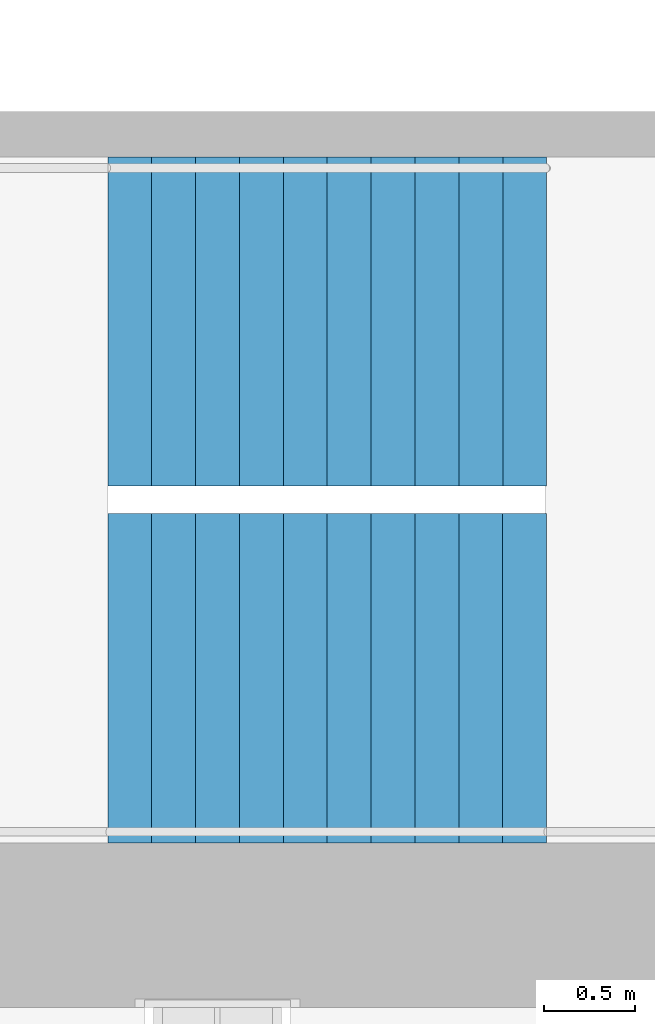
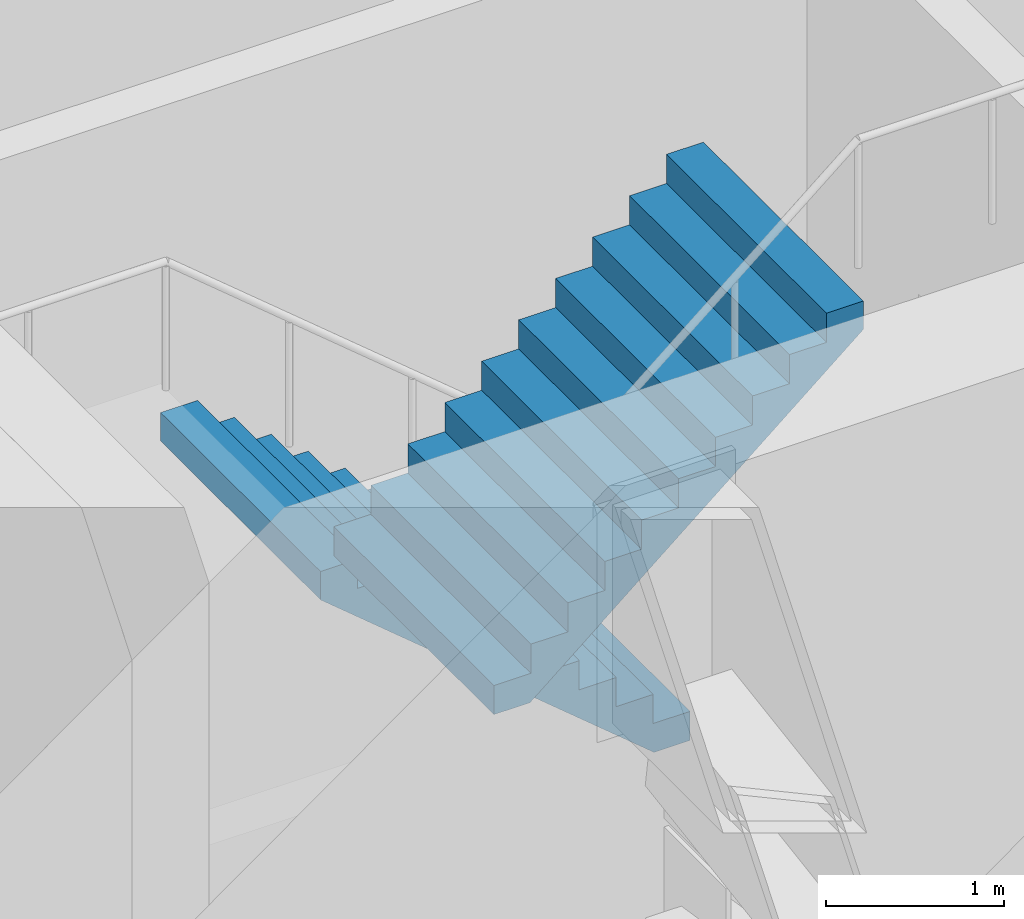
# One storey, part 25 of 30: 2 stair flights, 1 element without a shape of its own.
"""IFC4 building model written with IfcOpenShell, lengths in metres."""

from ifc_helpers import new_model, si_unit, direction, frame, origin, place, context, subcontext, project, spatial, triangles, material, type_object, element, aggregate, save


model = new_model("IFC4")

# Units and contexts
model_context = context("Model", 3, precision=1e-05, world=origin(), true_north=direction((0.0, 1.0)))
body_context = subcontext(model_context, "Body", "Model", "MODEL_VIEW")
ifc_project = project(units=[si_unit("LENGTHUNIT", "METRE"), si_unit("AREAUNIT", "SQUARE_METRE"), si_unit("VOLUMEUNIT", "CUBIC_METRE"), si_unit("PLANEANGLEUNIT", "RADIAN"), si_unit("MASSUNIT", "GRAM", prefix="KILO")], contexts=[model_context])

# Site, building, storey
site_placement = place(None, origin())
site = spatial("IfcSite", under=ifc_project, at=site_placement, CompositionType="ELEMENT")
building_placement = place(site_placement, origin())
building = spatial("IfcBuilding", under=site, at=building_placement, Name="Hakoniwa Tower and Hamabe Station Hall", CompositionType="ELEMENT")
storey_placement = place(building_placement, frame((0.0, 0.0, 64.60009765625)))
storey = spatial("IfcBuildingStorey", under=building, at=storey_placement, Name="L18", CompositionType="ELEMENT", Elevation=64.60009765625)

# Stair, stair flights
ifc_material_1 = material(Name="Concrete C40", Category="concrete")
stair_type = type_object("IfcStairType", Name="ESCAPE STAIR 1800", PredefinedType="HALF_TURN_STAIR", material=ifc_material_1)
stair_placement = place(storey_placement, origin())
stair = element("IfcStair", 1, at=stair_placement, inside=storey, type_object=stair_type, Name="Escape stair ST-2 L18", PredefinedType="HALF_TURN_STAIR")
ifc_material_2 = material(Name="Concrete C40", Category="concrete")
stair_flight_type = type_object("IfcStairFlightType", Name="STAIR FLIGHT 1800", PredefinedType="STRAIGHT", material=ifc_material_2)
stair_flight_1_placement = place(storey_placement, frame((-23.39990234375, -4.64990234375, 0.0), z_axis=(0.0, 0.0, 1.0), x_axis=(-1.0, 0.0, 0.0)))
stair_flight_1 = element("IfcStairFlight", 2, at=stair_flight_1_placement, type_object=stair_flight_type, Name="ST-2 flight 1", NumberOfRisers=11, NumberOfTreads=10, PredefinedType="STRAIGHT", RiserHeight=0.2, TreadLength=0.24, context=body_context, shape_type="Tessellation", body=[
    triangles([(0.0, 0.89990234375, 0.0), (0.234130859375, 0.89990234375, 0.0), (0.239990234375, 0.89990234375, 0.0048828125), (0.47998046875, 0.89990234375, 0.204833984375), (0.719970703125, 0.89990234375, 0.40478515625), (0.9599609375, 0.89990234375, 0.60498046875), (1.199951171875, 0.89990234375, 0.804931640625), (1.43994140625, 0.89990234375, 1.0048828125), (1.679931640625, 0.89990234375, 1.204833984375), (1.919921875, 0.89990234375, 1.40478515625), (2.159912109375, 0.89990234375, 1.60498046875), (2.39990234375, 0.89990234375, 1.804931640625), (2.39990234375, 0.89990234375, 2.0), (2.159912109375, 0.89990234375, 2.0), (2.159912109375, 0.89990234375, 1.800048828125), (1.919921875, 0.89990234375, 1.800048828125), (1.919921875, 0.89990234375, 1.60009765625), (1.679931640625, 0.89990234375, 1.60009765625), (1.679931640625, 0.89990234375, 1.39990234375), (1.43994140625, 0.89990234375, 1.39990234375), (1.43994140625, 0.89990234375, 1.199951171875), (1.199951171875, 0.89990234375, 1.199951171875), (1.199951171875, 0.89990234375, 1.0), (0.9599609375, 0.89990234375, 1.0), (0.9599609375, 0.89990234375, 0.800048828125), (0.719970703125, 0.89990234375, 0.800048828125), (0.719970703125, 0.89990234375, 0.60009765625), (0.47998046875, 0.89990234375, 0.60009765625), (0.47998046875, 0.89990234375, 0.39990234375), (0.239990234375, 0.89990234375, 0.39990234375), (0.239990234375, 0.89990234375, 0.199951171875), (0.234130859375, 0.89990234375, 0.199951171875), (0.0, 0.89990234375, 0.199951171875), (0.0, 0.06005859375, 0.0), (0.234130859375, 0.06005859375, 0.0), (0.239990234375, 0.06005859375, 0.0048828125), (0.47998046875, 0.06005859375, 0.204833984375), (0.719970703125, 0.06005859375, 0.40478515625), (0.9599609375, 0.06005859375, 0.60498046875), (1.199951171875, 0.06005859375, 0.804931640625), (1.43994140625, 0.06005859375, 1.0048828125), (1.679931640625, 0.06005859375, 1.204833984375), (1.919921875, 0.06005859375, 1.40478515625), (2.159912109375, 0.06005859375, 1.60498046875), (2.39990234375, 0.06005859375, 1.804931640625), (2.39990234375, 0.06005859375, 2.0), (2.159912109375, 0.06005859375, 2.0), (2.159912109375, 0.06005859375, 1.800048828125), (1.919921875, 0.06005859375, 1.800048828125), (1.919921875, 0.06005859375, 1.60009765625), (1.679931640625, 0.06005859375, 1.60009765625), (1.679931640625, 0.06005859375, 1.39990234375), (1.43994140625, 0.06005859375, 1.39990234375), (1.43994140625, 0.06005859375, 1.199951171875), (1.199951171875, 0.06005859375, 1.199951171875), (1.199951171875, 0.06005859375, 1.0), (0.9599609375, 0.06005859375, 1.0), (0.9599609375, 0.06005859375, 0.800048828125), (0.719970703125, 0.06005859375, 0.800048828125), (0.719970703125, 0.06005859375, 0.60009765625), (0.47998046875, 0.06005859375, 0.60009765625), (0.47998046875, 0.06005859375, 0.39990234375), (0.239990234375, 0.06005859375, 0.39990234375), (0.239990234375, 0.06005859375, 0.199951171875), (0.234130859375, 0.06005859375, 0.199951171875), (0.0, 0.06005859375, 0.199951171875), (0.0, 0.02001953125, 0.0), (0.234130859375, 0.02001953125, 0.0), (0.239990234375, 0.02001953125, 0.0048828125), (0.47998046875, 0.02001953125, 0.204833984375), (0.719970703125, 0.02001953125, 0.40478515625), (0.9599609375, 0.02001953125, 0.60498046875), (1.199951171875, 0.02001953125, 0.804931640625), (1.43994140625, 0.02001953125, 1.0048828125), (1.679931640625, 0.02001953125, 1.204833984375), (1.919921875, 0.02001953125, 1.40478515625), (2.159912109375, 0.02001953125, 1.60498046875), (2.39990234375, 0.02001953125, 1.804931640625), (2.39990234375, 0.02001953125, 2.0), (2.159912109375, 0.02001953125, 2.0), (2.159912109375, 0.02001953125, 1.800048828125), (1.919921875, 0.02001953125, 1.800048828125), (1.919921875, 0.02001953125, 1.60009765625), (1.679931640625, 0.02001953125, 1.60009765625), (1.679931640625, 0.02001953125, 1.39990234375), (1.43994140625, 0.02001953125, 1.39990234375), (1.43994140625, 0.02001953125, 1.199951171875), (1.199951171875, 0.02001953125, 1.199951171875), (1.199951171875, 0.02001953125, 1.0), (0.9599609375, 0.02001953125, 1.0), (0.9599609375, 0.02001953125, 0.800048828125), (0.719970703125, 0.02001953125, 0.800048828125), (0.719970703125, 0.02001953125, 0.60009765625), (0.47998046875, 0.02001953125, 0.60009765625), (0.47998046875, 0.02001953125, 0.39990234375), (0.239990234375, 0.02001953125, 0.39990234375), (0.239990234375, 0.02001953125, 0.199951171875), (0.234130859375, 0.02001953125, 0.199951171875), (0.0, 0.02001953125, 0.199951171875), (0.0, -0.02001953125, 0.0), (0.234130859375, -0.02001953125, 0.0), (0.239990234375, -0.02001953125, 0.0048828125), (0.47998046875, -0.02001953125, 0.204833984375), (0.719970703125, -0.02001953125, 0.40478515625), (0.9599609375, -0.02001953125, 0.60498046875), (1.199951171875, -0.02001953125, 0.804931640625), (1.43994140625, -0.02001953125, 1.0048828125), (1.679931640625, -0.02001953125, 1.204833984375), (1.919921875, -0.02001953125, 1.40478515625), (2.159912109375, -0.02001953125, 1.60498046875), (2.39990234375, -0.02001953125, 1.804931640625), (2.39990234375, -0.02001953125, 2.0), (2.159912109375, -0.02001953125, 2.0), (2.159912109375, -0.02001953125, 1.800048828125), (1.919921875, -0.02001953125, 1.800048828125), (1.919921875, -0.02001953125, 1.60009765625), (1.679931640625, -0.02001953125, 1.60009765625), (1.679931640625, -0.02001953125, 1.39990234375), (1.43994140625, -0.02001953125, 1.39990234375), (1.43994140625, -0.02001953125, 1.199951171875), (1.199951171875, -0.02001953125, 1.199951171875), (1.199951171875, -0.02001953125, 1.0), (0.9599609375, -0.02001953125, 1.0), (0.9599609375, -0.02001953125, 0.800048828125), (0.719970703125, -0.02001953125, 0.800048828125), (0.719970703125, -0.02001953125, 0.60009765625), (0.47998046875, -0.02001953125, 0.60009765625), (0.47998046875, -0.02001953125, 0.39990234375), (0.239990234375, -0.02001953125, 0.39990234375), (0.239990234375, -0.02001953125, 0.199951171875), (0.234130859375, -0.02001953125, 0.199951171875), (0.0, -0.02001953125, 0.199951171875), (0.0, -0.06005859375, 0.0), (0.234130859375, -0.06005859375, 0.0), (0.239990234375, -0.06005859375, 0.0048828125), (0.47998046875, -0.06005859375, 0.204833984375), (0.719970703125, -0.06005859375, 0.40478515625), (0.9599609375, -0.06005859375, 0.60498046875), (1.199951171875, -0.06005859375, 0.804931640625), (1.43994140625, -0.06005859375, 1.0048828125), (1.679931640625, -0.06005859375, 1.204833984375), (1.919921875, -0.06005859375, 1.40478515625), (2.159912109375, -0.06005859375, 1.60498046875), (2.39990234375, -0.06005859375, 1.804931640625), (2.39990234375, -0.06005859375, 2.0), (2.159912109375, -0.06005859375, 2.0), (2.159912109375, -0.06005859375, 1.800048828125), (1.919921875, -0.06005859375, 1.800048828125), (1.919921875, -0.06005859375, 1.60009765625), (1.679931640625, -0.06005859375, 1.60009765625), (1.679931640625, -0.06005859375, 1.39990234375), (1.43994140625, -0.06005859375, 1.39990234375), (1.43994140625, -0.06005859375, 1.199951171875), (1.199951171875, -0.06005859375, 1.199951171875), (1.199951171875, -0.06005859375, 1.0), (0.9599609375, -0.06005859375, 1.0), (0.9599609375, -0.06005859375, 0.800048828125), (0.719970703125, -0.06005859375, 0.800048828125), (0.719970703125, -0.06005859375, 0.60009765625), (0.47998046875, -0.06005859375, 0.60009765625), (0.47998046875, -0.06005859375, 0.39990234375), (0.239990234375, -0.06005859375, 0.39990234375), (0.239990234375, -0.06005859375, 0.199951171875), (0.234130859375, -0.06005859375, 0.199951171875), (0.0, -0.06005859375, 0.199951171875), (0.0, -0.89990234375, 0.0), (0.234130859375, -0.89990234375, 0.0), (0.239990234375, -0.89990234375, 0.0048828125), (0.47998046875, -0.89990234375, 0.204833984375), (0.719970703125, -0.89990234375, 0.40478515625), (0.9599609375, -0.89990234375, 0.60498046875), (1.199951171875, -0.89990234375, 0.804931640625), (1.43994140625, -0.89990234375, 1.0048828125), (1.679931640625, -0.89990234375, 1.204833984375), (1.919921875, -0.89990234375, 1.40478515625), (2.159912109375, -0.89990234375, 1.60498046875), (2.39990234375, -0.89990234375, 1.804931640625), (2.39990234375, -0.89990234375, 2.0), (2.159912109375, -0.89990234375, 2.0), (2.159912109375, -0.89990234375, 1.800048828125), (1.919921875, -0.89990234375, 1.800048828125), (1.919921875, -0.89990234375, 1.60009765625), (1.679931640625, -0.89990234375, 1.60009765625), (1.679931640625, -0.89990234375, 1.39990234375), (1.43994140625, -0.89990234375, 1.39990234375), (1.43994140625, -0.89990234375, 1.199951171875), (1.199951171875, -0.89990234375, 1.199951171875), (1.199951171875, -0.89990234375, 1.0), (0.9599609375, -0.89990234375, 1.0), (0.9599609375, -0.89990234375, 0.800048828125), (0.719970703125, -0.89990234375, 0.800048828125), (0.719970703125, -0.89990234375, 0.60009765625), (0.47998046875, -0.89990234375, 0.60009765625), (0.47998046875, -0.89990234375, 0.39990234375), (0.239990234375, -0.89990234375, 0.39990234375), (0.239990234375, -0.89990234375, 0.199951171875), (0.234130859375, -0.89990234375, 0.199951171875), (0.0, -0.89990234375, 0.199951171875)], [[2, 33, 32], [167, 197, 198], [2, 1, 33], [167, 198, 166], [3, 32, 31], [168, 196, 197], [3, 2, 32], [168, 197, 167], [4, 30, 29], [169, 194, 195], [4, 31, 30], [169, 195, 196], [4, 3, 31], [169, 196, 168], [5, 28, 27], [170, 192, 193], [5, 29, 28], [170, 193, 194], [5, 4, 29], [170, 194, 169], [6, 26, 25], [171, 190, 191], [6, 27, 26], [171, 191, 192], [6, 5, 27], [171, 192, 170], [7, 24, 23], [172, 188, 189], [7, 25, 24], [172, 189, 190], [7, 6, 25], [172, 190, 171], [8, 22, 21], [173, 186, 187], [8, 23, 22], [173, 187, 188], [8, 7, 23], [173, 188, 172], [9, 20, 19], [174, 184, 185], [9, 21, 20], [174, 185, 186], [9, 8, 21], [174, 186, 173], [10, 18, 17], [175, 182, 183], [10, 19, 18], [175, 183, 184], [10, 9, 19], [175, 184, 174], [11, 16, 15], [176, 180, 181], [11, 17, 16], [176, 181, 182], [11, 10, 17], [176, 182, 175], [12, 14, 13], [177, 178, 179], [12, 15, 14], [177, 179, 180], [12, 11, 15], [177, 180, 176], [1, 2, 35], [1, 35, 34], [34, 35, 68], [34, 68, 67], [67, 68, 101], [67, 101, 100], [100, 101, 134], [100, 134, 133], [133, 134, 167], [133, 167, 166], [2, 3, 36], [2, 36, 35], [35, 36, 69], [35, 69, 68], [68, 69, 102], [68, 102, 101], [101, 102, 135], [101, 135, 134], [134, 135, 168], [134, 168, 167], [3, 4, 37], [3, 37, 36], [36, 37, 70], [36, 70, 69], [69, 70, 103], [69, 103, 102], [102, 103, 136], [102, 136, 135], [135, 136, 169], [135, 169, 168], [4, 5, 38], [4, 38, 37], [37, 38, 71], [37, 71, 70], [70, 71, 104], [70, 104, 103], [103, 104, 137], [103, 137, 136], [136, 137, 170], [136, 170, 169], [5, 6, 39], [5, 39, 38], [38, 39, 72], [38, 72, 71], [71, 72, 105], [71, 105, 104], [104, 105, 138], [104, 138, 137], [137, 138, 171], [137, 171, 170], [6, 7, 40], [6, 40, 39], [39, 40, 73], [39, 73, 72], [72, 73, 106], [72, 106, 105], [105, 106, 139], [105, 139, 138], [138, 139, 172], [138, 172, 171], [7, 8, 41], [7, 41, 40], [40, 41, 74], [40, 74, 73], [73, 74, 107], [73, 107, 106], [106, 107, 140], [106, 140, 139], [139, 140, 173], [139, 173, 172], [8, 9, 42], [8, 42, 41], [41, 42, 75], [41, 75, 74], [74, 75, 108], [74, 108, 107], [107, 108, 141], [107, 141, 140], [140, 141, 174], [140, 174, 173], [9, 10, 43], [9, 43, 42], [42, 43, 76], [42, 76, 75], [75, 76, 109], [75, 109, 108], [108, 109, 142], [108, 142, 141], [141, 142, 175], [141, 175, 174], [10, 11, 44], [10, 44, 43], [43, 44, 77], [43, 77, 76], [76, 77, 110], [76, 110, 109], [109, 110, 143], [109, 143, 142], [142, 143, 176], [142, 176, 175], [11, 12, 45], [11, 45, 44], [44, 45, 78], [44, 78, 77], [77, 78, 111], [77, 111, 110], [110, 111, 144], [110, 144, 143], [143, 144, 177], [143, 177, 176], [12, 13, 46], [12, 46, 45], [45, 46, 79], [45, 79, 78], [78, 79, 112], [78, 112, 111], [111, 112, 145], [111, 145, 144], [144, 145, 178], [144, 178, 177], [13, 14, 47], [13, 47, 46], [46, 47, 80], [46, 80, 79], [79, 80, 113], [79, 113, 112], [112, 113, 146], [112, 146, 145], [145, 146, 179], [145, 179, 178], [14, 15, 48], [14, 48, 47], [47, 48, 81], [47, 81, 80], [80, 81, 114], [80, 114, 113], [113, 114, 147], [113, 147, 146], [146, 147, 180], [146, 180, 179], [15, 16, 49], [15, 49, 48], [48, 49, 82], [48, 82, 81], [81, 82, 115], [81, 115, 114], [114, 115, 148], [114, 148, 147], [147, 148, 181], [147, 181, 180], [16, 17, 50], [16, 50, 49], [49, 50, 83], [49, 83, 82], [82, 83, 116], [82, 116, 115], [115, 116, 149], [115, 149, 148], [148, 149, 182], [148, 182, 181], [17, 18, 51], [17, 51, 50], [50, 51, 84], [50, 84, 83], [83, 84, 117], [83, 117, 116], [116, 117, 150], [116, 150, 149], [149, 150, 183], [149, 183, 182], [18, 19, 52], [18, 52, 51], [51, 52, 85], [51, 85, 84], [84, 85, 118], [84, 118, 117], [117, 118, 151], [117, 151, 150], [150, 151, 184], [150, 184, 183], [19, 20, 53], [19, 53, 52], [52, 53, 86], [52, 86, 85], [85, 86, 119], [85, 119, 118], [118, 119, 152], [118, 152, 151], [151, 152, 185], [151, 185, 184], [20, 21, 54], [20, 54, 53], [53, 54, 87], [53, 87, 86], [86, 87, 120], [86, 120, 119], [119, 120, 153], [119, 153, 152], [152, 153, 186], [152, 186, 185], [21, 22, 55], [21, 55, 54], [54, 55, 88], [54, 88, 87], [87, 88, 121], [87, 121, 120], [120, 121, 154], [120, 154, 153], [153, 154, 187], [153, 187, 186], [22, 23, 56], [22, 56, 55], [55, 56, 89], [55, 89, 88], [88, 89, 122], [88, 122, 121], [121, 122, 155], [121, 155, 154], [154, 155, 188], [154, 188, 187], [23, 24, 57], [23, 57, 56], [56, 57, 90], [56, 90, 89], [89, 90, 123], [89, 123, 122], [122, 123, 156], [122, 156, 155], [155, 156, 189], [155, 189, 188], [24, 25, 58], [24, 58, 57], [57, 58, 91], [57, 91, 90], [90, 91, 124], [90, 124, 123], [123, 124, 157], [123, 157, 156], [156, 157, 190], [156, 190, 189], [25, 26, 59], [25, 59, 58], [58, 59, 92], [58, 92, 91], [91, 92, 125], [91, 125, 124], [124, 125, 158], [124, 158, 157], [157, 158, 191], [157, 191, 190], [26, 27, 60], [26, 60, 59], [59, 60, 93], [59, 93, 92], [92, 93, 126], [92, 126, 125], [125, 126, 159], [125, 159, 158], [158, 159, 192], [158, 192, 191], [27, 28, 61], [27, 61, 60], [60, 61, 94], [60, 94, 93], [93, 94, 127], [93, 127, 126], [126, 127, 160], [126, 160, 159], [159, 160, 193], [159, 193, 192], [28, 29, 62], [28, 62, 61], [61, 62, 95], [61, 95, 94], [94, 95, 128], [94, 128, 127], [127, 128, 161], [127, 161, 160], [160, 161, 194], [160, 194, 193], [29, 30, 63], [29, 63, 62], [62, 63, 96], [62, 96, 95], [95, 96, 129], [95, 129, 128], [128, 129, 162], [128, 162, 161], [161, 162, 195], [161, 195, 194], [30, 31, 64], [30, 64, 63], [63, 64, 97], [63, 97, 96], [96, 97, 130], [96, 130, 129], [129, 130, 163], [129, 163, 162], [162, 163, 196], [162, 196, 195], [31, 32, 65], [31, 65, 64], [64, 65, 98], [64, 98, 97], [97, 98, 131], [97, 131, 130], [130, 131, 164], [130, 164, 163], [163, 164, 197], [163, 197, 196], [32, 33, 66], [32, 66, 65], [65, 66, 99], [65, 99, 98], [98, 99, 132], [98, 132, 131], [131, 132, 165], [131, 165, 164], [164, 165, 198], [164, 198, 197], [33, 1, 34], [33, 34, 66], [66, 34, 67], [66, 67, 99], [99, 67, 100], [99, 100, 132], [132, 100, 133], [132, 133, 165], [165, 133, 166], [165, 166, 198]], closed=True),
])
stair_flight_2_placement = place(storey_placement, frame((-25.800048828125, -6.60009765625, 2.199951171875), z_axis=(0.0, 0.0, 1.0), x_axis=(1.0, 0.0, 0.0)))
stair_flight_2 = element("IfcStairFlight", 3, at=stair_flight_2_placement, type_object=stair_flight_type, Name="ST-2 flight 2", NumberOfRisers=11, NumberOfTreads=10, PredefinedType="STRAIGHT", RiserHeight=0.2, TreadLength=0.24, context=body_context, shape_type="Tessellation", body=[
    triangles([(0.0, 0.89990234375, 0.0), (0.234130859375, 0.89990234375, 0.0), (0.239990234375, 0.89990234375, 0.0048828125), (0.47998046875, 0.89990234375, 0.204833984375), (0.719970703125, 0.89990234375, 0.40478515625), (0.9599609375, 0.89990234375, 0.60498046875), (1.199951171875, 0.89990234375, 0.804931640625), (1.43994140625, 0.89990234375, 1.0048828125), (1.679931640625, 0.89990234375, 1.204833984375), (1.919921875, 0.89990234375, 1.40478515625), (2.159912109375, 0.89990234375, 1.60498046875), (2.39990234375, 0.89990234375, 1.804931640625), (2.39990234375, 0.89990234375, 2.0), (2.159912109375, 0.89990234375, 2.0), (2.159912109375, 0.89990234375, 1.800048828125), (1.919921875, 0.89990234375, 1.800048828125), (1.919921875, 0.89990234375, 1.60009765625), (1.679931640625, 0.89990234375, 1.60009765625), (1.679931640625, 0.89990234375, 1.39990234375), (1.43994140625, 0.89990234375, 1.39990234375), (1.43994140625, 0.89990234375, 1.199951171875), (1.199951171875, 0.89990234375, 1.199951171875), (1.199951171875, 0.89990234375, 1.0), (0.9599609375, 0.89990234375, 1.0), (0.9599609375, 0.89990234375, 0.800048828125), (0.719970703125, 0.89990234375, 0.800048828125), (0.719970703125, 0.89990234375, 0.60009765625), (0.47998046875, 0.89990234375, 0.60009765625), (0.47998046875, 0.89990234375, 0.39990234375), (0.239990234375, 0.89990234375, 0.39990234375), (0.239990234375, 0.89990234375, 0.199951171875), (0.234130859375, 0.89990234375, 0.199951171875), (0.0, 0.89990234375, 0.199951171875), (0.0, 0.06005859375, 0.0), (0.234130859375, 0.06005859375, 0.0), (0.239990234375, 0.06005859375, 0.0048828125), (0.47998046875, 0.06005859375, 0.204833984375), (0.719970703125, 0.06005859375, 0.40478515625), (0.9599609375, 0.06005859375, 0.60498046875), (1.199951171875, 0.06005859375, 0.804931640625), (1.43994140625, 0.06005859375, 1.0048828125), (1.679931640625, 0.06005859375, 1.204833984375), (1.919921875, 0.06005859375, 1.40478515625), (2.159912109375, 0.06005859375, 1.60498046875), (2.39990234375, 0.06005859375, 1.804931640625), (2.39990234375, 0.06005859375, 2.0), (2.159912109375, 0.06005859375, 2.0), (2.159912109375, 0.06005859375, 1.800048828125), (1.919921875, 0.06005859375, 1.800048828125), (1.919921875, 0.06005859375, 1.60009765625), (1.679931640625, 0.06005859375, 1.60009765625), (1.679931640625, 0.06005859375, 1.39990234375), (1.43994140625, 0.06005859375, 1.39990234375), (1.43994140625, 0.06005859375, 1.199951171875), (1.199951171875, 0.06005859375, 1.199951171875), (1.199951171875, 0.06005859375, 1.0), (0.9599609375, 0.06005859375, 1.0), (0.9599609375, 0.06005859375, 0.800048828125), (0.719970703125, 0.06005859375, 0.800048828125), (0.719970703125, 0.06005859375, 0.60009765625), (0.47998046875, 0.06005859375, 0.60009765625), (0.47998046875, 0.06005859375, 0.39990234375), (0.239990234375, 0.06005859375, 0.39990234375), (0.239990234375, 0.06005859375, 0.199951171875), (0.234130859375, 0.06005859375, 0.199951171875), (0.0, 0.06005859375, 0.199951171875), (0.0, 0.02001953125, 0.0), (0.234130859375, 0.02001953125, 0.0), (0.239990234375, 0.02001953125, 0.0048828125), (0.47998046875, 0.02001953125, 0.204833984375), (0.719970703125, 0.02001953125, 0.40478515625), (0.9599609375, 0.02001953125, 0.60498046875), (1.199951171875, 0.02001953125, 0.804931640625), (1.43994140625, 0.02001953125, 1.0048828125), (1.679931640625, 0.02001953125, 1.204833984375), (1.919921875, 0.02001953125, 1.40478515625), (2.159912109375, 0.02001953125, 1.60498046875), (2.39990234375, 0.02001953125, 1.804931640625), (2.39990234375, 0.02001953125, 2.0), (2.159912109375, 0.02001953125, 2.0), (2.159912109375, 0.02001953125, 1.800048828125), (1.919921875, 0.02001953125, 1.800048828125), (1.919921875, 0.02001953125, 1.60009765625), (1.679931640625, 0.02001953125, 1.60009765625), (1.679931640625, 0.02001953125, 1.39990234375), (1.43994140625, 0.02001953125, 1.39990234375), (1.43994140625, 0.02001953125, 1.199951171875), (1.199951171875, 0.02001953125, 1.199951171875), (1.199951171875, 0.02001953125, 1.0), (0.9599609375, 0.02001953125, 1.0), (0.9599609375, 0.02001953125, 0.800048828125), (0.719970703125, 0.02001953125, 0.800048828125), (0.719970703125, 0.02001953125, 0.60009765625), (0.47998046875, 0.02001953125, 0.60009765625), (0.47998046875, 0.02001953125, 0.39990234375), (0.239990234375, 0.02001953125, 0.39990234375), (0.239990234375, 0.02001953125, 0.199951171875), (0.234130859375, 0.02001953125, 0.199951171875), (0.0, 0.02001953125, 0.199951171875), (0.0, -0.02001953125, 0.0), (0.234130859375, -0.02001953125, 0.0), (0.239990234375, -0.02001953125, 0.0048828125), (0.47998046875, -0.02001953125, 0.204833984375), (0.719970703125, -0.02001953125, 0.40478515625), (0.9599609375, -0.02001953125, 0.60498046875), (1.199951171875, -0.02001953125, 0.804931640625), (1.43994140625, -0.02001953125, 1.0048828125), (1.679931640625, -0.02001953125, 1.204833984375), (1.919921875, -0.02001953125, 1.40478515625), (2.159912109375, -0.02001953125, 1.60498046875), (2.39990234375, -0.02001953125, 1.804931640625), (2.39990234375, -0.02001953125, 2.0), (2.159912109375, -0.02001953125, 2.0), (2.159912109375, -0.02001953125, 1.800048828125), (1.919921875, -0.02001953125, 1.800048828125), (1.919921875, -0.02001953125, 1.60009765625), (1.679931640625, -0.02001953125, 1.60009765625), (1.679931640625, -0.02001953125, 1.39990234375), (1.43994140625, -0.02001953125, 1.39990234375), (1.43994140625, -0.02001953125, 1.199951171875), (1.199951171875, -0.02001953125, 1.199951171875), (1.199951171875, -0.02001953125, 1.0), (0.9599609375, -0.02001953125, 1.0), (0.9599609375, -0.02001953125, 0.800048828125), (0.719970703125, -0.02001953125, 0.800048828125), (0.719970703125, -0.02001953125, 0.60009765625), (0.47998046875, -0.02001953125, 0.60009765625), (0.47998046875, -0.02001953125, 0.39990234375), (0.239990234375, -0.02001953125, 0.39990234375), (0.239990234375, -0.02001953125, 0.199951171875), (0.234130859375, -0.02001953125, 0.199951171875), (0.0, -0.02001953125, 0.199951171875), (0.0, -0.06005859375, 0.0), (0.234130859375, -0.06005859375, 0.0), (0.239990234375, -0.06005859375, 0.0048828125), (0.47998046875, -0.06005859375, 0.204833984375), (0.719970703125, -0.06005859375, 0.40478515625), (0.9599609375, -0.06005859375, 0.60498046875), (1.199951171875, -0.06005859375, 0.804931640625), (1.43994140625, -0.06005859375, 1.0048828125), (1.679931640625, -0.06005859375, 1.204833984375), (1.919921875, -0.06005859375, 1.40478515625), (2.159912109375, -0.06005859375, 1.60498046875), (2.39990234375, -0.06005859375, 1.804931640625), (2.39990234375, -0.06005859375, 2.0), (2.159912109375, -0.06005859375, 2.0), (2.159912109375, -0.06005859375, 1.800048828125), (1.919921875, -0.06005859375, 1.800048828125), (1.919921875, -0.06005859375, 1.60009765625), (1.679931640625, -0.06005859375, 1.60009765625), (1.679931640625, -0.06005859375, 1.39990234375), (1.43994140625, -0.06005859375, 1.39990234375), (1.43994140625, -0.06005859375, 1.199951171875), (1.199951171875, -0.06005859375, 1.199951171875), (1.199951171875, -0.06005859375, 1.0), (0.9599609375, -0.06005859375, 1.0), (0.9599609375, -0.06005859375, 0.800048828125), (0.719970703125, -0.06005859375, 0.800048828125), (0.719970703125, -0.06005859375, 0.60009765625), (0.47998046875, -0.06005859375, 0.60009765625), (0.47998046875, -0.06005859375, 0.39990234375), (0.239990234375, -0.06005859375, 0.39990234375), (0.239990234375, -0.06005859375, 0.199951171875), (0.234130859375, -0.06005859375, 0.199951171875), (0.0, -0.06005859375, 0.199951171875), (0.0, -0.89990234375, 0.0), (0.234130859375, -0.89990234375, 0.0), (0.239990234375, -0.89990234375, 0.0048828125), (0.47998046875, -0.89990234375, 0.204833984375), (0.719970703125, -0.89990234375, 0.40478515625), (0.9599609375, -0.89990234375, 0.60498046875), (1.199951171875, -0.89990234375, 0.804931640625), (1.43994140625, -0.89990234375, 1.0048828125), (1.679931640625, -0.89990234375, 1.204833984375), (1.919921875, -0.89990234375, 1.40478515625), (2.159912109375, -0.89990234375, 1.60498046875), (2.39990234375, -0.89990234375, 1.804931640625), (2.39990234375, -0.89990234375, 2.0), (2.159912109375, -0.89990234375, 2.0), (2.159912109375, -0.89990234375, 1.800048828125), (1.919921875, -0.89990234375, 1.800048828125), (1.919921875, -0.89990234375, 1.60009765625), (1.679931640625, -0.89990234375, 1.60009765625), (1.679931640625, -0.89990234375, 1.39990234375), (1.43994140625, -0.89990234375, 1.39990234375), (1.43994140625, -0.89990234375, 1.199951171875), (1.199951171875, -0.89990234375, 1.199951171875), (1.199951171875, -0.89990234375, 1.0), (0.9599609375, -0.89990234375, 1.0), (0.9599609375, -0.89990234375, 0.800048828125), (0.719970703125, -0.89990234375, 0.800048828125), (0.719970703125, -0.89990234375, 0.60009765625), (0.47998046875, -0.89990234375, 0.60009765625), (0.47998046875, -0.89990234375, 0.39990234375), (0.239990234375, -0.89990234375, 0.39990234375), (0.239990234375, -0.89990234375, 0.199951171875), (0.234130859375, -0.89990234375, 0.199951171875), (0.0, -0.89990234375, 0.199951171875)], [[2, 33, 32], [167, 197, 198], [2, 1, 33], [167, 198, 166], [3, 32, 31], [168, 196, 197], [3, 2, 32], [168, 197, 167], [4, 30, 29], [169, 194, 195], [4, 31, 30], [169, 195, 196], [4, 3, 31], [169, 196, 168], [5, 28, 27], [170, 192, 193], [5, 29, 28], [170, 193, 194], [5, 4, 29], [170, 194, 169], [6, 26, 25], [171, 190, 191], [6, 27, 26], [171, 191, 192], [6, 5, 27], [171, 192, 170], [7, 24, 23], [172, 188, 189], [7, 25, 24], [172, 189, 190], [7, 6, 25], [172, 190, 171], [8, 22, 21], [173, 186, 187], [8, 23, 22], [173, 187, 188], [8, 7, 23], [173, 188, 172], [9, 20, 19], [174, 184, 185], [9, 21, 20], [174, 185, 186], [9, 8, 21], [174, 186, 173], [10, 18, 17], [175, 182, 183], [10, 19, 18], [175, 183, 184], [10, 9, 19], [175, 184, 174], [11, 16, 15], [176, 180, 181], [11, 17, 16], [176, 181, 182], [11, 10, 17], [176, 182, 175], [12, 14, 13], [177, 178, 179], [12, 15, 14], [177, 179, 180], [12, 11, 15], [177, 180, 176], [1, 2, 35], [1, 35, 34], [34, 35, 68], [34, 68, 67], [67, 68, 101], [67, 101, 100], [100, 101, 134], [100, 134, 133], [133, 134, 167], [133, 167, 166], [2, 3, 36], [2, 36, 35], [35, 36, 69], [35, 69, 68], [68, 69, 102], [68, 102, 101], [101, 102, 135], [101, 135, 134], [134, 135, 168], [134, 168, 167], [3, 4, 37], [3, 37, 36], [36, 37, 70], [36, 70, 69], [69, 70, 103], [69, 103, 102], [102, 103, 136], [102, 136, 135], [135, 136, 169], [135, 169, 168], [4, 5, 38], [4, 38, 37], [37, 38, 71], [37, 71, 70], [70, 71, 104], [70, 104, 103], [103, 104, 137], [103, 137, 136], [136, 137, 170], [136, 170, 169], [5, 6, 39], [5, 39, 38], [38, 39, 72], [38, 72, 71], [71, 72, 105], [71, 105, 104], [104, 105, 138], [104, 138, 137], [137, 138, 171], [137, 171, 170], [6, 7, 40], [6, 40, 39], [39, 40, 73], [39, 73, 72], [72, 73, 106], [72, 106, 105], [105, 106, 139], [105, 139, 138], [138, 139, 172], [138, 172, 171], [7, 8, 41], [7, 41, 40], [40, 41, 74], [40, 74, 73], [73, 74, 107], [73, 107, 106], [106, 107, 140], [106, 140, 139], [139, 140, 173], [139, 173, 172], [8, 9, 42], [8, 42, 41], [41, 42, 75], [41, 75, 74], [74, 75, 108], [74, 108, 107], [107, 108, 141], [107, 141, 140], [140, 141, 174], [140, 174, 173], [9, 10, 43], [9, 43, 42], [42, 43, 76], [42, 76, 75], [75, 76, 109], [75, 109, 108], [108, 109, 142], [108, 142, 141], [141, 142, 175], [141, 175, 174], [10, 11, 44], [10, 44, 43], [43, 44, 77], [43, 77, 76], [76, 77, 110], [76, 110, 109], [109, 110, 143], [109, 143, 142], [142, 143, 176], [142, 176, 175], [11, 12, 45], [11, 45, 44], [44, 45, 78], [44, 78, 77], [77, 78, 111], [77, 111, 110], [110, 111, 144], [110, 144, 143], [143, 144, 177], [143, 177, 176], [12, 13, 46], [12, 46, 45], [45, 46, 79], [45, 79, 78], [78, 79, 112], [78, 112, 111], [111, 112, 145], [111, 145, 144], [144, 145, 178], [144, 178, 177], [13, 14, 47], [13, 47, 46], [46, 47, 80], [46, 80, 79], [79, 80, 113], [79, 113, 112], [112, 113, 146], [112, 146, 145], [145, 146, 179], [145, 179, 178], [14, 15, 48], [14, 48, 47], [47, 48, 81], [47, 81, 80], [80, 81, 114], [80, 114, 113], [113, 114, 147], [113, 147, 146], [146, 147, 180], [146, 180, 179], [15, 16, 49], [15, 49, 48], [48, 49, 82], [48, 82, 81], [81, 82, 115], [81, 115, 114], [114, 115, 148], [114, 148, 147], [147, 148, 181], [147, 181, 180], [16, 17, 50], [16, 50, 49], [49, 50, 83], [49, 83, 82], [82, 83, 116], [82, 116, 115], [115, 116, 149], [115, 149, 148], [148, 149, 182], [148, 182, 181], [17, 18, 51], [17, 51, 50], [50, 51, 84], [50, 84, 83], [83, 84, 117], [83, 117, 116], [116, 117, 150], [116, 150, 149], [149, 150, 183], [149, 183, 182], [18, 19, 52], [18, 52, 51], [51, 52, 85], [51, 85, 84], [84, 85, 118], [84, 118, 117], [117, 118, 151], [117, 151, 150], [150, 151, 184], [150, 184, 183], [19, 20, 53], [19, 53, 52], [52, 53, 86], [52, 86, 85], [85, 86, 119], [85, 119, 118], [118, 119, 152], [118, 152, 151], [151, 152, 185], [151, 185, 184], [20, 21, 54], [20, 54, 53], [53, 54, 87], [53, 87, 86], [86, 87, 120], [86, 120, 119], [119, 120, 153], [119, 153, 152], [152, 153, 186], [152, 186, 185], [21, 22, 55], [21, 55, 54], [54, 55, 88], [54, 88, 87], [87, 88, 121], [87, 121, 120], [120, 121, 154], [120, 154, 153], [153, 154, 187], [153, 187, 186], [22, 23, 56], [22, 56, 55], [55, 56, 89], [55, 89, 88], [88, 89, 122], [88, 122, 121], [121, 122, 155], [121, 155, 154], [154, 155, 188], [154, 188, 187], [23, 24, 57], [23, 57, 56], [56, 57, 90], [56, 90, 89], [89, 90, 123], [89, 123, 122], [122, 123, 156], [122, 156, 155], [155, 156, 189], [155, 189, 188], [24, 25, 58], [24, 58, 57], [57, 58, 91], [57, 91, 90], [90, 91, 124], [90, 124, 123], [123, 124, 157], [123, 157, 156], [156, 157, 190], [156, 190, 189], [25, 26, 59], [25, 59, 58], [58, 59, 92], [58, 92, 91], [91, 92, 125], [91, 125, 124], [124, 125, 158], [124, 158, 157], [157, 158, 191], [157, 191, 190], [26, 27, 60], [26, 60, 59], [59, 60, 93], [59, 93, 92], [92, 93, 126], [92, 126, 125], [125, 126, 159], [125, 159, 158], [158, 159, 192], [158, 192, 191], [27, 28, 61], [27, 61, 60], [60, 61, 94], [60, 94, 93], [93, 94, 127], [93, 127, 126], [126, 127, 160], [126, 160, 159], [159, 160, 193], [159, 193, 192], [28, 29, 62], [28, 62, 61], [61, 62, 95], [61, 95, 94], [94, 95, 128], [94, 128, 127], [127, 128, 161], [127, 161, 160], [160, 161, 194], [160, 194, 193], [29, 30, 63], [29, 63, 62], [62, 63, 96], [62, 96, 95], [95, 96, 129], [95, 129, 128], [128, 129, 162], [128, 162, 161], [161, 162, 195], [161, 195, 194], [30, 31, 64], [30, 64, 63], [63, 64, 97], [63, 97, 96], [96, 97, 130], [96, 130, 129], [129, 130, 163], [129, 163, 162], [162, 163, 196], [162, 196, 195], [31, 32, 65], [31, 65, 64], [64, 65, 98], [64, 98, 97], [97, 98, 131], [97, 131, 130], [130, 131, 164], [130, 164, 163], [163, 164, 197], [163, 197, 196], [32, 33, 66], [32, 66, 65], [65, 66, 99], [65, 99, 98], [98, 99, 132], [98, 132, 131], [131, 132, 165], [131, 165, 164], [164, 165, 198], [164, 198, 197], [33, 1, 34], [33, 34, 66], [66, 34, 67], [66, 67, 99], [99, 67, 100], [99, 100, 132], [132, 100, 133], [132, 133, 165], [165, 133, 166], [165, 166, 198]], closed=True),
])
aggregate(stair, [stair_flight_1, stair_flight_2])

save(model, "model.ifc")
